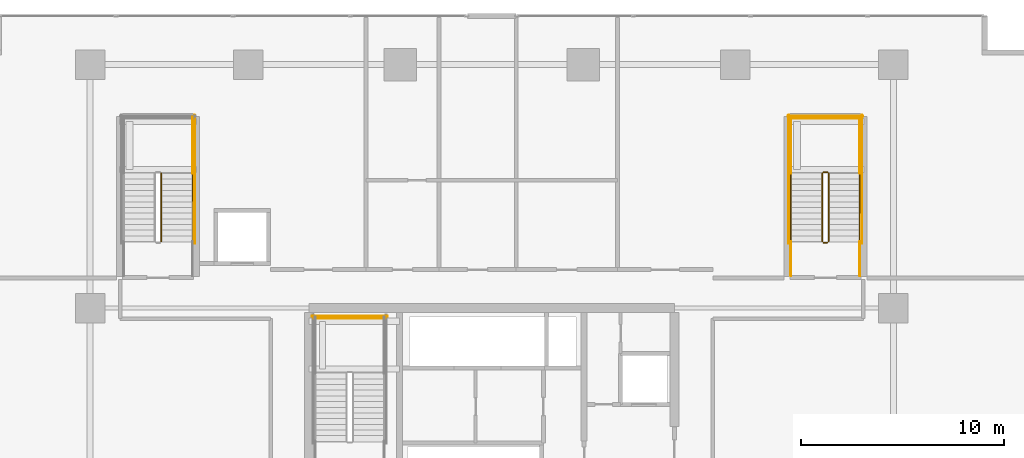
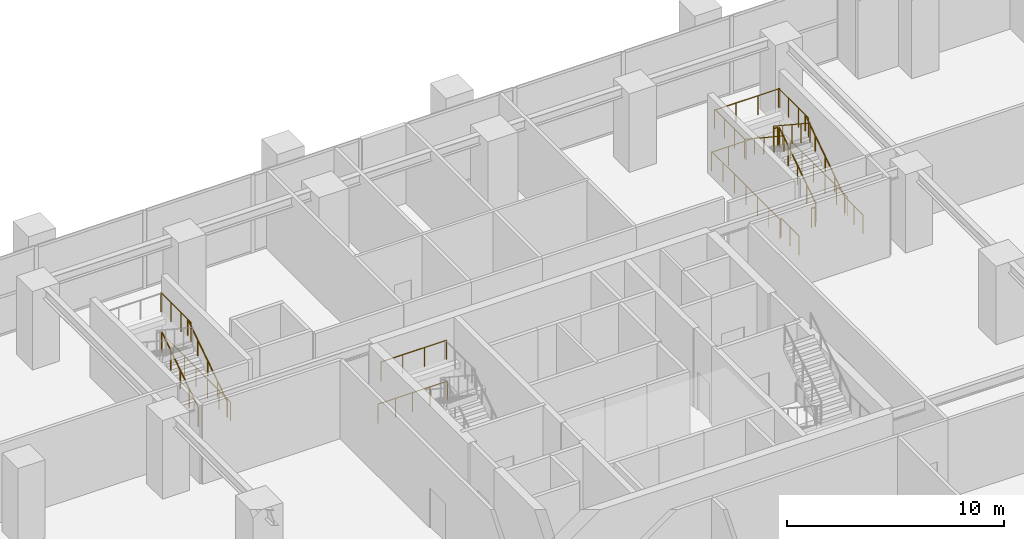
# One storey, part 20 of 20: 20 railings.
"""IFC4 building model written with IfcOpenShell, lengths in metres."""

from ifc_helpers import new_model, si_unit, direction, frame, origin, origin_2d, place, context, subcontext, project, spatial, circle, extrude, material, type_object, element, save


model = new_model("IFC4")

# Units and contexts
model_context = context("Model", 3, precision=1e-05, world=origin(), true_north=direction((0.0, 1.0)))
body_context = subcontext(model_context, "Body", "Model", "MODEL_VIEW")
ifc_project = project(units=[si_unit("LENGTHUNIT", "METRE"), si_unit("AREAUNIT", "SQUARE_METRE"), si_unit("VOLUMEUNIT", "CUBIC_METRE"), si_unit("PLANEANGLEUNIT", "RADIAN"), si_unit("MASSUNIT", "GRAM", prefix="KILO")], contexts=[model_context])

# Site, building, storey
site_placement = place(None, origin())
site = spatial("IfcSite", under=ifc_project, at=site_placement, CompositionType="ELEMENT")
building_placement = place(site_placement, origin())
building = spatial("IfcBuilding", under=site, at=building_placement, Name="Serunith Strait Residences", CompositionType="ELEMENT")
storey_placement = place(building_placement, frame((0.0, 0.0, 10.5)))
storey = spatial("IfcBuildingStorey", under=building, at=storey_placement, Name="L02", CompositionType="ELEMENT", Elevation=10.5)

# Railings
ifc_material = material(Name="Brushed stainless steel 316L", Category="steel")
railing_type_1 = type_object("IfcRailingType", Name="RLG-STAIR-GUARD", PredefinedType="BALUSTRADE", material=ifc_material)
railing_1_placement = place(storey_placement, frame((27.14990234375, 33.10009765625, 2.39990234375)))
element("IfcRailing", 1, at=railing_1_placement, inside=storey, type_object=railing_type_1, Name="L02 ST-1 stair guard 5", PredefinedType="BALUSTRADE", context=body_context, shape_type="SweptSolid", body=[
    extrude(circle(Radius=0.02392578125, at=origin_2d()), frame((-0.001953125, 0.0, 1.076171875), z_axis=(-1.0, 0.0, 0.0), x_axis=(0.0, -1.0, 0.0)), (0.0, 0.0, 1.0), 3.49609375),
    extrude(circle(Radius=0.02099609375, at=origin_2d()), origin(), (0.0, 0.0, 1.0), 1.050048828125),
    extrude(circle(Radius=0.02099609375, at=origin_2d()), frame((-1.166748046875, 0.0, 0.0)), (0.0, 0.0, 1.0), 1.050048828125),
    extrude(circle(Radius=0.02099609375, at=origin_2d()), frame((-2.333251953125, 0.0, 0.0)), (0.0, 0.0, 1.0), 1.050048828125),
    extrude(circle(Radius=0.02099609375, at=origin_2d()), frame((-3.5, 0.0, 0.0)), (0.0, 0.0, 1.0), 1.050048828125),
])
railing_2_placement = place(storey_placement, frame((27.25, 33.199951171875, 0.0)))
element("IfcRailing", 2, at=railing_2_placement, inside=storey, type_object=railing_type_1, Name="L02 ST-1 stair guard 12", PredefinedType="BALUSTRADE", context=body_context, shape_type="SweptSolid", body=[
    extrude(circle(Radius=0.02392578125, at=origin_2d()), frame((-0.001953125, 0.0, 1.076171875), z_axis=(-1.0, 0.0, 0.0), x_axis=(0.0, -1.0, 0.0)), (0.0, 0.0, 1.0), 3.696044921875),
    extrude(circle(Radius=0.02099609375, at=origin_2d()), origin(), (0.0, 0.0, 1.0), 1.050048828125),
    extrude(circle(Radius=0.02099609375, at=origin_2d()), frame((-0.925048828125, 0.0, 0.0)), (0.0, 0.0, 1.0), 1.050048828125),
    extrude(circle(Radius=0.02099609375, at=origin_2d()), frame((-1.85009765625, 0.0, 0.0)), (0.0, 0.0, 1.0), 1.050048828125),
    extrude(circle(Radius=0.02099609375, at=origin_2d()), frame((-2.77490234375, 0.0, 0.0)), (0.0, 0.0, 1.0), 1.050048828125),
    extrude(circle(Radius=0.02099609375, at=origin_2d()), frame((-3.699951171875, 0.0, 0.0)), (0.0, 0.0, 1.0), 1.050048828125),
])
railing_3_placement = place(storey_placement, frame((16.10009765625, 36.8798828125, 0.1845703125)))
element("IfcRailing", 3, at=railing_3_placement, inside=storey, type_object=railing_type_1, Name="L02 ST-3 stair guard 1", PredefinedType="BALUSTRADE", context=body_context, shape_type="SweptSolid", body=[
    extrude(circle(Radius=0.02392578125, at=origin_2d()), frame((0.0, 0.001708984375, 1.0771484375), z_axis=(0.0, 0.834876476806, 0.550437342915), x_axis=(-1.0, 0.0, 0.0)), (0.0, 0.0, 1.0), 4.020751953125),
    extrude(circle(Radius=0.02099609375, at=origin_2d()), origin(), (0.0, 0.0, 1.0), 1.050048828125),
    extrude(circle(Radius=0.02099609375, at=origin_2d()), frame((0.0, 0.840087890625, 0.5537109375)), (0.0, 0.0, 1.0), 1.050048828125),
    extrude(circle(Radius=0.02099609375, at=origin_2d()), frame((0.0, 1.68017578125, 1.107666015625)), (0.0, 0.0, 1.0), 1.050048828125),
    extrude(circle(Radius=0.02099609375, at=origin_2d()), frame((0.0, 2.52001953125, 1.66162109375)), (0.0, 0.0, 1.0), 1.050048828125),
    extrude(circle(Radius=0.02099609375, at=origin_2d()), frame((0.0, 3.360107421875, 2.21533203125)), (0.0, 0.0, 1.0), 1.050048828125),
])
railing_4_placement = place(storey_placement, frame((17.64990234375, 40.239990234375, 2.39990234375)))
element("IfcRailing", 4, at=railing_4_placement, inside=storey, type_object=railing_type_1, Name="L02 ST-3 stair guard 3", PredefinedType="BALUSTRADE", context=body_context, shape_type="SweptSolid", body=[
    extrude(circle(Radius=0.02392578125, at=origin_2d()), frame((0.0, 0.001953125, 1.076171875), z_axis=(0.0, 1.0, 0.0), x_axis=(-1.0, 0.0, 0.0)), (0.0, 0.0, 1.0), 2.756103515625),
    extrude(circle(Radius=0.02099609375, at=origin_2d()), origin(), (0.0, 0.0, 1.0), 1.050048828125),
    extrude(circle(Radius=0.02099609375, at=origin_2d()), frame((0.0, 0.919921875, 0.0)), (0.0, 0.0, 1.0), 1.050048828125),
    extrude(circle(Radius=0.02099609375, at=origin_2d()), frame((0.0, 1.840087890625, 0.0)), (0.0, 0.0, 1.0), 1.050048828125),
    extrude(circle(Radius=0.02099609375, at=origin_2d()), frame((0.0, 2.760009765625, 0.0)), (0.0, 0.0, 1.0), 1.050048828125),
])
railing_5_placement = place(storey_placement, frame((17.75, 36.780029296875, 0.0)))
element("IfcRailing", 5, at=railing_5_placement, inside=storey, type_object=railing_type_1, Name="L02 ST-3 stair guard 10", PredefinedType="BALUSTRADE", context=body_context, shape_type="SweptSolid", body=[
    extrude(circle(Radius=0.02392578125, at=origin_2d()), frame((0.0, 0.001953125, 1.076171875), z_axis=(0.0, 1.0, 0.0), x_axis=(-1.0, 0.0, 0.0)), (0.0, 0.0, 1.0), 6.316162109375),
    extrude(circle(Radius=0.02099609375, at=origin_2d()), origin(), (0.0, 0.0, 1.0), 1.050048828125),
    extrude(circle(Radius=0.02099609375, at=origin_2d()), frame((0.0, 1.05322265625, 0.0)), (0.0, 0.0, 1.0), 1.050048828125),
    extrude(circle(Radius=0.02099609375, at=origin_2d()), frame((0.0, 2.106689453125, 0.0)), (0.0, 0.0, 1.0), 1.050048828125),
    extrude(circle(Radius=0.02099609375, at=origin_2d()), frame((0.0, 3.16015625, 0.0)), (0.0, 0.0, 1.0), 1.050048828125),
    extrude(circle(Radius=0.02099609375, at=origin_2d()), frame((0.0, 4.21337890625, 0.0)), (0.0, 0.0, 1.0), 1.050048828125),
    extrude(circle(Radius=0.02099609375, at=origin_2d()), frame((0.0, 5.2666015625, 0.0)), (0.0, 0.0, 1.0), 1.050048828125),
    extrude(circle(Radius=0.02099609375, at=origin_2d()), frame((0.0, 6.320068359375, 0.0)), (0.0, 0.0, 1.0), 1.050048828125),
])
railing_6_placement = place(storey_placement, frame((49.0, 36.8798828125, 0.1845703125)))
element("IfcRailing", 6, at=railing_6_placement, inside=storey, type_object=railing_type_1, Name="L02 ST-4 stair guard 1", PredefinedType="BALUSTRADE", context=body_context, shape_type="SweptSolid", body=[
    extrude(circle(Radius=0.02392578125, at=origin_2d()), frame((0.0, 0.001708984375, 1.0771484375), z_axis=(0.0, 0.834876476806, 0.550437342915), x_axis=(-1.0, 0.0, 0.0)), (0.0, 0.0, 1.0), 4.020751953125),
    extrude(circle(Radius=0.02099609375, at=origin_2d()), origin(), (0.0, 0.0, 1.0), 1.050048828125),
    extrude(circle(Radius=0.02099609375, at=origin_2d()), frame((0.0, 0.840087890625, 0.5537109375)), (0.0, 0.0, 1.0), 1.050048828125),
    extrude(circle(Radius=0.02099609375, at=origin_2d()), frame((0.0, 1.68017578125, 1.107666015625)), (0.0, 0.0, 1.0), 1.050048828125),
    extrude(circle(Radius=0.02099609375, at=origin_2d()), frame((0.0, 2.52001953125, 1.66162109375)), (0.0, 0.0, 1.0), 1.050048828125),
    extrude(circle(Radius=0.02099609375, at=origin_2d()), frame((0.0, 3.360107421875, 2.21533203125)), (0.0, 0.0, 1.0), 1.050048828125),
])
railing_7_placement = place(storey_placement, frame((48.949951171875, 40.2900390625, 2.39990234375)))
element("IfcRailing", 7, at=railing_7_placement, inside=storey, type_object=railing_type_1, Name="L02 ST-4 stair guard 2", PredefinedType="BALUSTRADE", context=body_context, shape_type="SweptSolid", body=[
    extrude(circle(Radius=0.02392578125, at=origin_2d()), frame((-0.001953125, 0.0, 1.076171875), z_axis=(-1.0, 0.0, 0.0), x_axis=(0.0, -1.0, 0.0)), (0.0, 0.0, 1.0), 0.196044921875),
    extrude(circle(Radius=0.02099609375, at=origin_2d()), origin(), (0.0, 0.0, 1.0), 1.050048828125),
    extrude(circle(Radius=0.02099609375, at=origin_2d()), frame((-0.199951171875, 0.0, 0.0)), (0.0, 0.0, 1.0), 1.050048828125),
])
for number, where, name in (
    (8, (50.550048828125, 40.239990234375, 2.39990234375), "L02 ST-4 stair guard 3"),
    (9, (47.14990234375, 40.239990234375, 2.39990234375), "L02 ST-4 stair guard 4"),
):
    element("IfcRailing", number, at=place(storey_placement, frame(where)), inside=storey, type_object=railing_type_1, Name=name, PredefinedType="BALUSTRADE", context=body_context, shape_type="SweptSolid", body=[
        extrude(circle(Radius=0.02392578125, at=origin_2d()), frame((0.0, 0.001953125, 1.076171875), z_axis=(0.0, 1.0, 0.0), x_axis=(-1.0, 0.0, 0.0)), (0.0, 0.0, 1.0), 2.756103515625),
        extrude(circle(Radius=0.02099609375, at=origin_2d()), origin(), (0.0, 0.0, 1.0), 1.050048828125),
        extrude(circle(Radius=0.02099609375, at=origin_2d()), frame((0.0, 0.919921875, 0.0)), (0.0, 0.0, 1.0), 1.050048828125),
        extrude(circle(Radius=0.02099609375, at=origin_2d()), frame((0.0, 1.840087890625, 0.0)), (0.0, 0.0, 1.0), 1.050048828125),
        extrude(circle(Radius=0.02099609375, at=origin_2d()), frame((0.0, 2.760009765625, 0.0)), (0.0, 0.0, 1.0), 1.050048828125),
    ])
railing_8_placement = place(storey_placement, frame((50.60009765625, 42.949951171875, 2.39990234375)))
element("IfcRailing", 10, at=railing_8_placement, inside=storey, type_object=railing_type_1, Name="L02 ST-4 stair guard 5", PredefinedType="BALUSTRADE", context=body_context, shape_type="SweptSolid", body=[
    extrude(circle(Radius=0.02392578125, at=origin_2d()), frame((-0.001953125, 0.0, 1.076171875), z_axis=(-1.0, 0.0, 0.0), x_axis=(0.0, -1.0, 0.0)), (0.0, 0.0, 1.0), 3.49609375),
    extrude(circle(Radius=0.02099609375, at=origin_2d()), origin(), (0.0, 0.0, 1.0), 1.050048828125),
    extrude(circle(Radius=0.02099609375, at=origin_2d()), frame((-1.166748046875, 0.0, 0.0)), (0.0, 0.0, 1.0), 1.050048828125),
    extrude(circle(Radius=0.02099609375, at=origin_2d()), frame((-2.333251953125, 0.0, 0.0)), (0.0, 0.0, 1.0), 1.050048828125),
    extrude(circle(Radius=0.02099609375, at=origin_2d()), frame((-3.5, 0.0, 0.0)), (0.0, 0.0, 1.0), 1.050048828125),
])
railing_9_placement = place(storey_placement, frame((48.699951171875, 40.239990234375, 2.584716796875)))
element("IfcRailing", 11, at=railing_9_placement, inside=storey, type_object=railing_type_1, Name="L02 ST-4 stair guard 6", PredefinedType="BALUSTRADE", context=body_context, shape_type="SweptSolid", body=[
    extrude(circle(Radius=0.02392578125, at=origin_2d()), frame((0.0, -0.001708984375, 1.0771484375), z_axis=(0.0, -0.834876476806, 0.550437342915), x_axis=(1.0, 0.0, 0.0)), (0.0, 0.0, 1.0), 4.020751953125),
    extrude(circle(Radius=0.02099609375, at=origin_2d()), origin(), (0.0, 0.0, 1.0), 1.050048828125),
    extrude(circle(Radius=0.02099609375, at=origin_2d()), frame((0.0, -0.840087890625, 0.5537109375)), (0.0, 0.0, 1.0), 1.050048828125),
    extrude(circle(Radius=0.02099609375, at=origin_2d()), frame((0.0, -1.68017578125, 1.107666015625)), (0.0, 0.0, 1.0), 1.050048828125),
    extrude(circle(Radius=0.02099609375, at=origin_2d()), frame((0.0, -2.52001953125, 1.66162109375)), (0.0, 0.0, 1.0), 1.050048828125),
    extrude(circle(Radius=0.02099609375, at=origin_2d()), frame((0.0, -3.360107421875, 2.21533203125)), (0.0, 0.0, 1.0), 1.050048828125),
])
railing_10_placement = place(storey_placement, frame((48.949951171875, 36.830078125, 0.0)))
element("IfcRailing", 12, at=railing_10_placement, inside=storey, type_object=railing_type_1, Name="L02 ST-4 stair guard 7", PredefinedType="BALUSTRADE", context=body_context, shape_type="SweptSolid", body=[
    extrude(circle(Radius=0.02392578125, at=origin_2d()), frame((-0.001953125, 0.0, 1.076171875), z_axis=(-1.0, 0.0, 0.0), x_axis=(0.0, -1.0, 0.0)), (0.0, 0.0, 1.0), 0.196044921875),
    extrude(circle(Radius=0.02099609375, at=origin_2d()), origin(), (0.0, 0.0, 1.0), 1.050048828125),
    extrude(circle(Radius=0.02099609375, at=origin_2d()), frame((-0.199951171875, 0.0, 0.0)), (0.0, 0.0, 1.0), 1.050048828125),
])
for number, where, name in (
    (13, (50.550048828125, 35.199951171875, 0.0), "L02 ST-4 stair guard 8"),
    (14, (47.14990234375, 35.199951171875, 0.0), "L02 ST-4 stair guard 9"),
):
    element("IfcRailing", number, at=place(storey_placement, frame(where)), inside=storey, type_object=railing_type_1, Name=name, PredefinedType="BALUSTRADE", context=body_context, shape_type="SweptSolid", body=[
        extrude(circle(Radius=0.02392578125, at=origin_2d()), frame((0.0, 0.001953125, 1.076171875), z_axis=(0.0, 1.0, 0.0), x_axis=(-1.0, 0.0, 0.0)), (0.0, 0.0, 1.0), 1.676025390625),
        extrude(circle(Radius=0.02099609375, at=origin_2d()), origin(), (0.0, 0.0, 1.0), 1.050048828125),
        extrude(circle(Radius=0.02099609375, at=origin_2d()), frame((0.0, 0.83984375, 0.0)), (0.0, 0.0, 1.0), 1.050048828125),
        extrude(circle(Radius=0.02099609375, at=origin_2d()), frame((0.0, 1.679931640625, 0.0)), (0.0, 0.0, 1.0), 1.050048828125),
    ])
for number, where, name in (
    (15, (50.64990234375, 36.780029296875, 0.0), "L02 ST-4 stair guard 10"),
    (16, (47.050048828125, 36.780029296875, 0.0), "L02 ST-4 stair guard 11"),
):
    element("IfcRailing", number, at=place(storey_placement, frame(where)), inside=storey, type_object=railing_type_1, Name=name, PredefinedType="BALUSTRADE", context=body_context, shape_type="SweptSolid", body=[
        extrude(circle(Radius=0.02392578125, at=origin_2d()), frame((0.0, 0.001953125, 1.076171875), z_axis=(0.0, 1.0, 0.0), x_axis=(-1.0, 0.0, 0.0)), (0.0, 0.0, 1.0), 6.316162109375),
        extrude(circle(Radius=0.02099609375, at=origin_2d()), origin(), (0.0, 0.0, 1.0), 1.050048828125),
        extrude(circle(Radius=0.02099609375, at=origin_2d()), frame((0.0, 1.05322265625, 0.0)), (0.0, 0.0, 1.0), 1.050048828125),
        extrude(circle(Radius=0.02099609375, at=origin_2d()), frame((0.0, 2.106689453125, 0.0)), (0.0, 0.0, 1.0), 1.050048828125),
        extrude(circle(Radius=0.02099609375, at=origin_2d()), frame((0.0, 3.16015625, 0.0)), (0.0, 0.0, 1.0), 1.050048828125),
        extrude(circle(Radius=0.02099609375, at=origin_2d()), frame((0.0, 4.21337890625, 0.0)), (0.0, 0.0, 1.0), 1.050048828125),
        extrude(circle(Radius=0.02099609375, at=origin_2d()), frame((0.0, 5.2666015625, 0.0)), (0.0, 0.0, 1.0), 1.050048828125),
        extrude(circle(Radius=0.02099609375, at=origin_2d()), frame((0.0, 6.320068359375, 0.0)), (0.0, 0.0, 1.0), 1.050048828125),
    ])
railing_11_placement = place(storey_placement, frame((50.699951171875, 43.050048828125, 0.0)))
element("IfcRailing", 17, at=railing_11_placement, inside=storey, type_object=railing_type_1, Name="L02 ST-4 stair guard 12", PredefinedType="BALUSTRADE", context=body_context, shape_type="SweptSolid", body=[
    extrude(circle(Radius=0.02392578125, at=origin_2d()), frame((-0.001953125, 0.0, 1.076171875), z_axis=(-1.0, 0.0, 0.0), x_axis=(0.0, -1.0, 0.0)), (0.0, 0.0, 1.0), 3.696044921875),
    extrude(circle(Radius=0.02099609375, at=origin_2d()), origin(), (0.0, 0.0, 1.0), 1.050048828125),
    extrude(circle(Radius=0.02099609375, at=origin_2d()), frame((-0.925048828125, 0.0, 0.0)), (0.0, 0.0, 1.0), 1.050048828125),
    extrude(circle(Radius=0.02099609375, at=origin_2d()), frame((-1.85009765625, 0.0, 0.0)), (0.0, 0.0, 1.0), 1.050048828125),
    extrude(circle(Radius=0.02099609375, at=origin_2d()), frame((-2.77490234375, 0.0, 0.0)), (0.0, 0.0, 1.0), 1.050048828125),
    extrude(circle(Radius=0.02099609375, at=origin_2d()), frame((-3.699951171875, 0.0, 0.0)), (0.0, 0.0, 1.0), 1.050048828125),
])
railing_type_2 = type_object("IfcRailingType", Name="RLG-STAIR-HR", PredefinedType="HANDRAIL", material=ifc_material)
for number, where, name in (
    (18, (17.64990234375, 36.8798828125, 0.1845703125), "L02 ST-3 stair handrail 1"),
    (19, (50.550048828125, 36.8798828125, 0.1845703125), "L02 ST-4 stair handrail 1"),
):
    element("IfcRailing", number, at=place(storey_placement, frame(where)), inside=storey, type_object=railing_type_2, Name=name, PredefinedType="HANDRAIL", context=body_context, shape_type="SweptSolid", body=[
        extrude(circle(Radius=0.02392578125, at=origin_2d()), frame((0.0, 0.001708984375, 0.876953125), z_axis=(0.0, 0.834341754904, 0.551247527), x_axis=(-1.0, 0.0, 0.0)), (0.0, 0.0, 1.0), 4.35888671875),
        extrude(circle(Radius=0.02099609375, at=origin_2d()), origin(), (0.0, 0.0, 1.0), 0.849853515625),
        extrude(circle(Radius=0.02099609375, at=origin_2d()), frame((0.0, 0.91015625, 0.601318359375)), (0.0, 0.0, 1.0), 0.849853515625),
        extrude(circle(Radius=0.02099609375, at=origin_2d()), frame((0.0, 1.820068359375, 1.20263671875)), (0.0, 0.0, 1.0), 0.849853515625),
        extrude(circle(Radius=0.02099609375, at=origin_2d()), frame((0.0, 2.72998046875, 1.8037109375)), (0.0, 0.0, 1.0), 0.849853515625),
        extrude(circle(Radius=0.02099609375, at=origin_2d()), frame((0.0, 3.64013671875, 2.405029296875)), (0.0, 0.0, 1.0), 0.849853515625),
    ])
railing_12_placement = place(storey_placement, frame((47.14990234375, 40.239990234375, 2.584716796875)))
element("IfcRailing", 20, at=railing_12_placement, inside=storey, type_object=railing_type_2, Name="L02 ST-4 stair handrail 2", PredefinedType="HANDRAIL", context=body_context, shape_type="SweptSolid", body=[
    extrude(circle(Radius=0.02392578125, at=origin_2d()), frame((0.0, -0.001708984375, 0.876953125), z_axis=(0.0, -0.834350488086, 0.551234308649), x_axis=(1.0, 0.0, 0.0)), (0.0, 0.0, 1.0), 4.358642578125),
    extrude(circle(Radius=0.02099609375, at=origin_2d()), origin(), (0.0, 0.0, 1.0), 0.849853515625),
    extrude(circle(Radius=0.02099609375, at=origin_2d()), frame((0.0, -0.909912109375, 0.60107421875)), (0.0, 0.0, 1.0), 0.849853515625),
    extrude(circle(Radius=0.02099609375, at=origin_2d()), frame((0.0, -1.81982421875, 1.202392578125)), (0.0, 0.0, 1.0), 0.849853515625),
    extrude(circle(Radius=0.02099609375, at=origin_2d()), frame((0.0, -2.72998046875, 1.8037109375)), (0.0, 0.0, 1.0), 0.849853515625),
    extrude(circle(Radius=0.02099609375, at=origin_2d()), frame((0.0, -3.639892578125, 2.40478515625)), (0.0, 0.0, 1.0), 0.849853515625),
])

save(model, "model.ifc")
